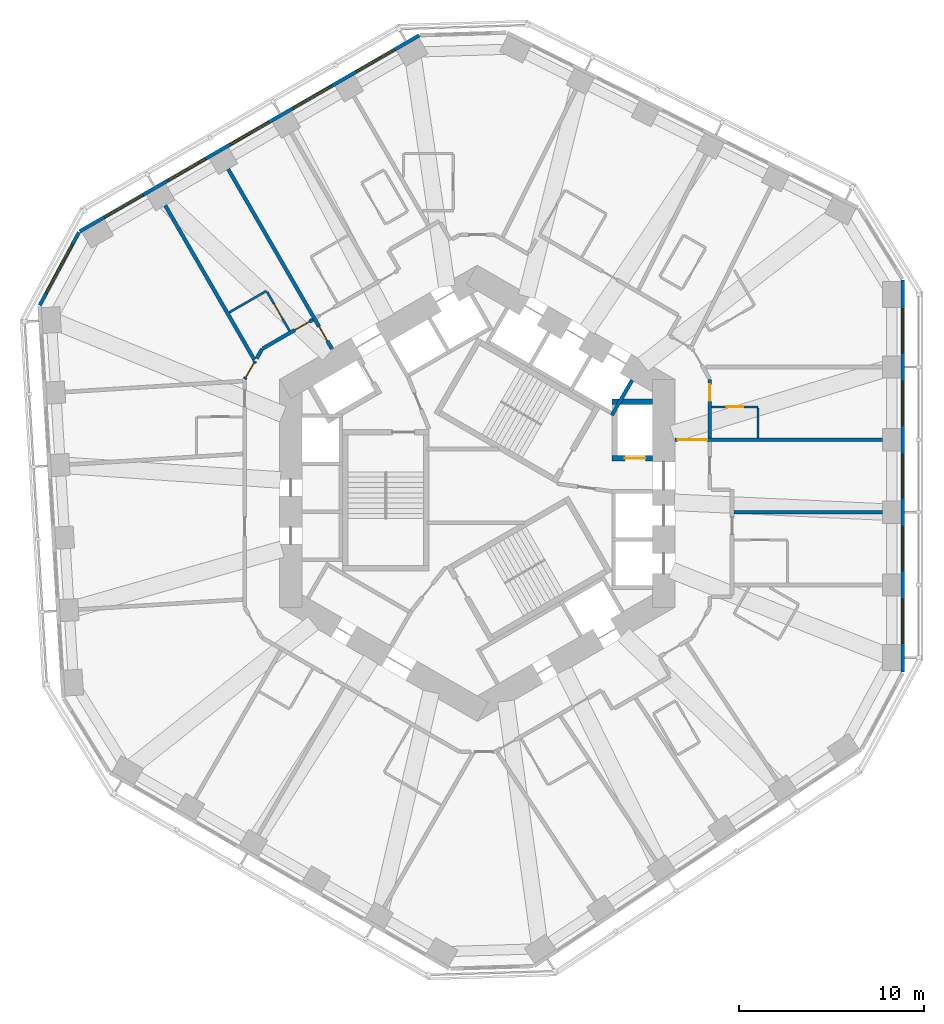
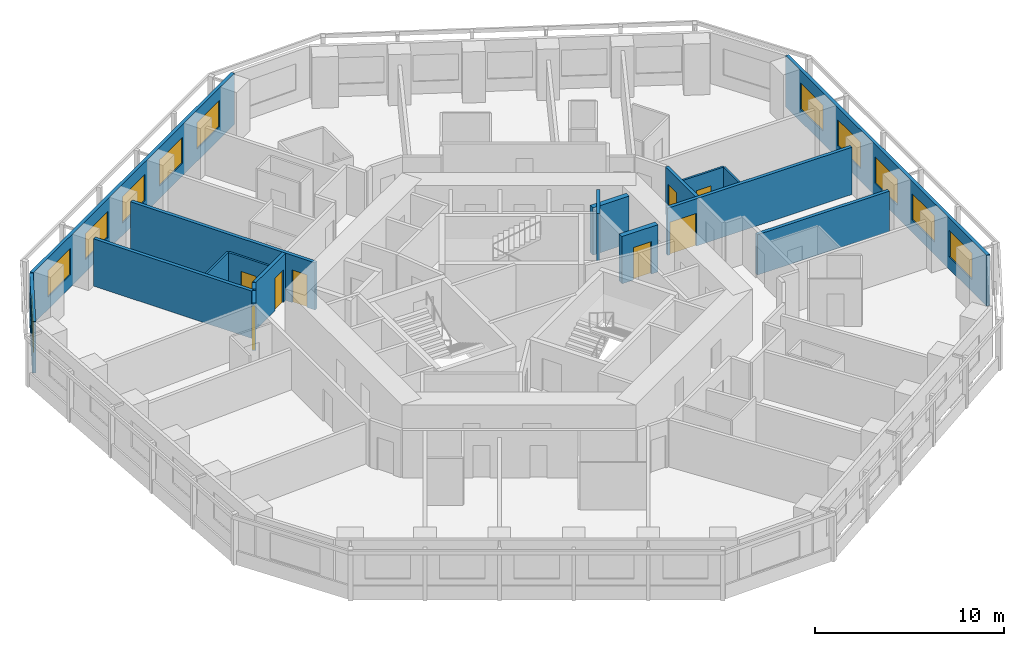
# One storey, part 7 of 12: 18 walls, 11 windows, 8 doors, 19 openings.
"""IFC4 building model written with IfcOpenShell, lengths in metres."""

from ifc_helpers import new_model, si_unit, direction, frame, frame_2d, origin, place, context, subcontext, project, spatial, rectangle, extrude, material, layer, layer_set, type_object, element, fill, save


model = new_model("IFC4")

# Units and contexts
model_context = context("Model", 3, precision=1e-05, world=origin(), true_north=direction((0.0, 1.0)))
body_context = subcontext(model_context, "Body", "Model", "MODEL_VIEW")
ifc_project = project(units=[si_unit("LENGTHUNIT", "METRE"), si_unit("AREAUNIT", "SQUARE_METRE"), si_unit("VOLUMEUNIT", "CUBIC_METRE"), si_unit("PLANEANGLEUNIT", "RADIAN"), si_unit("MASSUNIT", "GRAM", prefix="KILO")], contexts=[model_context])

# Site, building, storey
site_placement = place(None, origin())
site = spatial("IfcSite", under=ifc_project, at=site_placement, CompositionType="ELEMENT")
building_placement = place(site_placement, origin())
building = spatial("IfcBuilding", under=site, at=building_placement, Name="Vanh Sen Convention Tower", CompositionType="ELEMENT")
storey_placement = place(building_placement, frame((0.0, 0.0, 83.60009765625)))
storey = spatial("IfcBuildingStorey", under=building, at=storey_placement, Name="L18", CompositionType="ELEMENT", Elevation=83.60009765625)

# Wall
ifc_material_1 = material(Name="Moisture-resistant gypsum board on steel studs", Category="steel")
ifc_layer_1 = layer(ifc_material_1, 0.1201171875)
ifc_layer_set_1 = layer_set([ifc_layer_1], Name="Moisture-resistant gypsum board on steel studs")
wall_type_1 = type_object("IfcWallType", Name="Bathroom partition 120", PredefinedType="PARTITIONING", material=ifc_layer_set_1)
wall_1_placement = place(storey_placement, frame((-13.436279296875, 9.7939453125, 0.0), z_axis=(0.0, 0.0, 1.0), x_axis=(0.866053246676, 0.499951771596, 0.0)))
element("IfcWall", 1, at=wall_1_placement, inside=storey, type_object=wall_type_1, Name="Bathroom partition 120", PredefinedType="PARTITIONING", context=body_context, shape_type="SweptSolid", body=[
    extrude(rectangle(XDim=2.334716796875, YDim=0.1201171875, at=frame_2d((1.16748046875, 0.0))), origin(), (0.0, 0.0, 1.0), 3.0498046875),
])

# Wall, opening, door
wall_2_placement = place(storey_placement, frame((-11.384521484375, 10.9091796875, 0.0), z_axis=(0.0, 0.0, 1.0), x_axis=(0.500077547548, -0.865980627057, 0.0)))
wall_2 = element("IfcWall", 2, at=wall_2_placement, inside=storey, type_object=wall_type_1, Name="Bathroom partition 120", PredefinedType="PARTITIONING", context=body_context, shape_type="SweptSolid", body=[
    extrude(rectangle(XDim=2.43994140625, YDim=0.1201171875, at=frame_2d((1.219970703125, 0.0))), origin(), (0.0, 0.0, 1.0), 3.0498046875),
])
opening_1_placement = place(wall_2_placement, frame((0.77001953125, 0.0, 0.0)))
opening_1 = element("IfcOpeningElement", 3, at=opening_1_placement, cuts=wall_2, Name="Opening D16119", PredefinedType="OPENING", context=body_context, shape_type="SweptSolid", body=[
    extrude(rectangle(XDim=0.89990234375, YDim=2.10009765625, at=frame_2d((0.449951171875, 1.050048828125))), frame((0.0, 0.070068359375, 0.0), z_axis=(0.0, -1.0, 0.0), x_axis=(1.0, 0.0, 0.0)), (0.0, 0.0, 1.0), 0.14013671875),
])
ifc_material_2 = material(Name="Laminate door in steel frame", Category="steel")
door_type_1 = type_object("IfcDoorType", Name="En-suite door 900", OperationType="SINGLE_SWING_LEFT", PredefinedType="DOOR", material=ifc_material_2)
door_1_placement = place(opening_1_placement, origin())
door_1 = element("IfcDoor", 4, at=door_1_placement, inside=storey, type_object=door_type_1, Name="En-suite door D16119", OperationType="SINGLE_SWING_LEFT", OverallHeight=2.10009765625, OverallWidth=0.89990234375, PredefinedType="DOOR", context=body_context, shape_type="SweptSolid", body=[
    extrude(rectangle(XDim=0.89990234375, YDim=2.10009765625, at=frame_2d((0.449951171875, 1.050048828125))), frame((0.0, 0.02490234375, 0.0), z_axis=(0.0, -1.0, 0.0), x_axis=(1.0, 0.0, 0.0)), (0.0, 0.0, 1.0), 0.050048828125),
])
fill(opening_1, door_1)

wall_3_placement = place(storey_placement, frame((12.699951171875, 4.677490234375, 0.0), z_axis=(0.0, 0.0, 1.0), x_axis=(1.0, 0.0, 0.0)))
wall_3 = element("IfcWall", 5, at=wall_3_placement, inside=storey, type_object=wall_type_1, Name="Bathroom partition 120", PredefinedType="PARTITIONING", context=body_context, shape_type="SweptSolid", body=[
    extrude(rectangle(XDim=2.5, YDim=0.1201171875, at=frame_2d((1.25, 0.0))), origin(), (0.0, 0.0, 1.0), 3.0498046875),
])
opening_2_placement = place(wall_3_placement, frame((0.800048828125, 0.0, 0.0)))
opening_2 = element("IfcOpeningElement", 6, at=opening_2_placement, cuts=wall_3, Name="Opening D16105", PredefinedType="OPENING", context=body_context, shape_type="SweptSolid", body=[
    extrude(rectangle(XDim=0.89990234375, YDim=2.10009765625, at=frame_2d((0.449951171875, 1.050048828125))), frame((0.0, 0.070068359375, 0.0), z_axis=(0.0, -1.0, 0.0), x_axis=(1.0, 0.0, 0.0)), (0.0, 0.0, 1.0), 0.14013671875),
])
door_2_placement = place(opening_2_placement, origin())
door_2 = element("IfcDoor", 7, at=door_2_placement, inside=storey, type_object=door_type_1, Name="En-suite door D16105", OperationType="SINGLE_SWING_LEFT", OverallHeight=2.10009765625, OverallWidth=0.89990234375, PredefinedType="DOOR", context=body_context, shape_type="SweptSolid", body=[
    extrude(rectangle(XDim=0.89990234375, YDim=2.10009765625, at=frame_2d((0.449951171875, 1.050048828125))), frame((0.0, 0.02490234375, 0.0), z_axis=(0.0, -1.0, 0.0), x_axis=(1.0, 0.0, 0.0)), (0.0, 0.0, 1.0), 0.050048828125),
])
fill(opening_2, door_2)

# Wall
wall_4_placement = place(storey_placement, frame((15.199951171875, 4.61767578125, 0.0), z_axis=(0.0, 0.0, 1.0), x_axis=(0.0, -1.0, 0.0)))
element("IfcWall", 8, at=wall_4_placement, inside=storey, type_object=wall_type_1, Name="Bathroom partition 120", PredefinedType="PARTITIONING", context=body_context, shape_type="SweptSolid", body=[
    extrude(rectangle(XDim=1.61328125, YDim=0.1201171875, at=frame_2d((0.806640625, 0.0))), origin(), (0.0, 0.0, 1.0), 3.0498046875),
])

# Wall, opening, door
ifc_material_3 = material(Name="Gypsum board on steel studs with mineral wool", Category="steel")
ifc_layer_2 = layer(ifc_material_3, 0.199951171875)
ifc_layer_set_2 = layer_set([ifc_layer_2], Name="Gypsum board on steel studs with mineral wool")
wall_type_2 = type_object("IfcWallType", Name="Corridor partition wall 200", PredefinedType="PARTITIONING", material=ifc_layer_set_2)
wall_5_placement = place(storey_placement, frame((-12.031982421875, 7.16162109375, 0.0), z_axis=(0.0, 0.0, 1.0), x_axis=(-0.499951829968, -0.866053212979, 0.0)))
wall_5 = element("IfcWall", 9, at=wall_5_placement, inside=storey, type_object=wall_type_2, Name="Corridor partition wall 200", PredefinedType="PARTITIONING", context=body_context, shape_type="SweptSolid", body=[
    extrude(rectangle(XDim=1.13623046875, YDim=0.199951171875, at=frame_2d((0.568115234375, 0.0))), origin(), (0.0, 0.0, 1.0), 3.0498046875),
])
opening_3_placement = place(wall_5_placement, frame((0.1181640625, 0.0, 0.0)))
opening_3 = element("IfcOpeningElement", 10, at=opening_3_placement, cuts=wall_5, Name="Opening D16120", PredefinedType="OPENING", context=body_context, shape_type="SweptSolid", body=[
    extrude(rectangle(XDim=0.89990234375, YDim=2.10009765625, at=frame_2d((0.449951171875, 1.050048828125))), frame((0.0, 0.10986328125, 0.0), z_axis=(0.0, -1.0, 0.0), x_axis=(1.0, 0.0, 0.0)), (0.0, 0.0, 1.0), 0.219970703125),
])
ifc_material_4 = material(Name="Timber fire door in steel frame", Category="steel")
door_type_2 = type_object("IfcDoorType", Name="Floor room door 900", OperationType="SINGLE_SWING_LEFT", PredefinedType="DOOR", material=ifc_material_4)
door_3_placement = place(opening_3_placement, origin())
door_3 = element("IfcDoor", 11, at=door_3_placement, inside=storey, type_object=door_type_2, Name="Meeting and amenity room door D16120", OperationType="SINGLE_SWING_LEFT", OverallHeight=2.10009765625, OverallWidth=0.89990234375, PredefinedType="DOOR", context=body_context, shape_type="SweptSolid", body=[
    extrude(rectangle(XDim=0.89990234375, YDim=2.10009765625, at=frame_2d((0.449951171875, 1.050048828125))), frame((0.0, 0.02490234375, 0.0), z_axis=(0.0, -1.0, 0.0), x_axis=(1.0, 0.0, 0.0)), (0.0, 0.0, 1.0), 0.050048828125),
])
fill(opening_3, door_3)

# Wall
wall_6_placement = place(storey_placement, frame((-11.64990234375, 7.822998046875, 0.0), z_axis=(0.0, 0.0, 1.0), x_axis=(-0.50012165622, -0.865955154139, 0.0)))
element("IfcWall", 12, at=wall_6_placement, inside=storey, type_object=wall_type_2, Name="Corridor partition wall 200", PredefinedType="PARTITIONING", context=body_context, shape_type="SweptSolid", body=[
    extrude(rectangle(XDim=0.599853515625, YDim=0.199951171875, at=frame_2d((0.2998046875, 0.0))), origin(), (0.0, 0.0, 1.0), 3.0498046875),
])

# Wall, opening, door
wall_7_placement = place(storey_placement, frame((-8.902099609375, 9.40966796875, 0.0), z_axis=(0.0, 0.0, 1.0), x_axis=(-0.866014299198, -0.500019233215, 0.0)))
wall_7 = element("IfcWall", 13, at=wall_7_placement, inside=storey, type_object=wall_type_2, Name="Corridor partition wall 200", PredefinedType="PARTITIONING", context=body_context, shape_type="SweptSolid", body=[
    extrude(rectangle(XDim=3.13330078125, YDim=0.199951171875, at=frame_2d((1.566650390625, 0.0))), origin(), (0.0, 0.0, 1.0), 3.0498046875),
])
opening_4_placement = place(wall_7_placement, frame((0.22509765625, 0.0, 0.0)))
opening_4 = element("IfcOpeningElement", 14, at=opening_4_placement, cuts=wall_7, Name="Opening D16118", PredefinedType="OPENING", context=body_context, shape_type="SweptSolid", body=[
    extrude(rectangle(XDim=0.89990234375, YDim=2.10009765625, at=frame_2d((0.449951171875, 1.050048828125))), frame((0.0, 0.10986328125, 0.0), z_axis=(0.0, -1.0, 0.0), x_axis=(1.0, 0.0, 0.0)), (0.0, 0.0, 1.0), 0.219970703125),
])
door_type_3 = type_object("IfcDoorType", Name="Guest room door 900", OperationType="SINGLE_SWING_LEFT", PredefinedType="DOOR", material=ifc_material_4)
door_4_placement = place(opening_4_placement, origin())
door_4 = element("IfcDoor", 15, at=door_4_placement, inside=storey, type_object=door_type_3, Name="Hotel guest room door D16118", OperationType="SINGLE_SWING_LEFT", OverallHeight=2.10009765625, OverallWidth=0.89990234375, PredefinedType="DOOR", context=body_context, shape_type="SweptSolid", body=[
    extrude(rectangle(XDim=0.89990234375, YDim=2.10009765625, at=frame_2d((0.449951171875, 1.050048828125))), frame((0.0, 0.02490234375, 0.0), z_axis=(0.0, -1.0, 0.0), x_axis=(1.0, 0.0, 0.0)), (0.0, 0.0, 1.0), 0.050048828125),
])
fill(opening_4, door_4)

wall_8_placement = place(storey_placement, frame((12.60009765625, 3.00439453125, 0.0), z_axis=(0.0, 0.0, 1.0), x_axis=(0.0, 1.0, 0.0)))
wall_8 = element("IfcWall", 16, at=wall_8_placement, inside=storey, type_object=wall_type_2, Name="Corridor partition wall 200", PredefinedType="PARTITIONING", context=body_context, shape_type="SweptSolid", body=[
    extrude(rectangle(XDim=3.173095703125, YDim=0.199951171875, at=frame_2d((1.58642578125, 0.0))), origin(), (0.0, 0.0, 1.0), 3.0498046875),
])
opening_5_placement = place(wall_8_placement, frame((1.998046875, 0.0, 0.0)))
opening_5 = element("IfcOpeningElement", 17, at=opening_5_placement, cuts=wall_8, Name="Opening D16104", PredefinedType="OPENING", context=body_context, shape_type="SweptSolid", body=[
    extrude(rectangle(XDim=0.89990234375, YDim=2.10009765625, at=frame_2d((0.449951171875, 1.050048828125))), frame((0.0, 0.10986328125, 0.0), z_axis=(0.0, -1.0, 0.0), x_axis=(1.0, 0.0, 0.0)), (0.0, 0.0, 1.0), 0.219970703125),
])
door_5_placement = place(opening_5_placement, origin())
door_5 = element("IfcDoor", 18, at=door_5_placement, inside=storey, type_object=door_type_3, Name="Hotel guest room door D16104", OperationType="SINGLE_SWING_LEFT", OverallHeight=2.10009765625, OverallWidth=0.89990234375, PredefinedType="DOOR", context=body_context, shape_type="SweptSolid", body=[
    extrude(rectangle(XDim=0.89990234375, YDim=2.10009765625, at=frame_2d((0.449951171875, 1.050048828125))), frame((0.0, 0.02490234375, 0.0), z_axis=(0.0, -1.0, 0.0), x_axis=(1.0, 0.0, 0.0)), (0.0, 0.0, 1.0), 0.050048828125),
])
fill(opening_5, door_5)

# Wall, openings, windows
ifc_material_5 = material(Name="Insulated lightweight infill wall")
ifc_layer_3 = layer(ifc_material_5, 0.199951171875)
ifc_layer_set_3 = layer_set([ifc_layer_3], Name="Insulated lightweight infill wall")
wall_type_3 = type_object("IfcWallType", Name="External wall 200", PredefinedType="STANDARD", material=ifc_layer_set_3)
wall_9_placement = place(storey_placement, frame((23.050048828125, -9.6865234375, 0.0), z_axis=(0.0, 0.0, 1.0), x_axis=(0.0, 1.0, 0.0)))
wall_9 = element("IfcWall", 19, at=wall_9_placement, inside=storey, type_object=wall_type_3, Name="External wall E L18", PredefinedType="STANDARD", context=body_context, shape_type="SweptSolid", body=[
    extrude(rectangle(XDim=21.24609375, YDim=0.199951171875, at=frame_2d((10.623046875, 0.0))), origin(), (0.0, 0.0, 1.0), 3.2998046875),
])
opening_6_placement = place(wall_9_placement, frame((1.5546875, 0.0, 0.800048828125)))
opening_6 = element("IfcOpeningElement", 20, at=opening_6_placement, cuts=wall_9, Name="Opening WH1-E1", PredefinedType="OPENING", context=body_context, shape_type="SweptSolid", body=[
    extrude(rectangle(XDim=2.39990234375, YDim=1.699951171875, at=frame_2d((1.199951171875, 0.85009765625))), frame((0.0, 0.10986328125, 0.0), z_axis=(0.0, -1.0, 0.0), x_axis=(1.0, 0.0, 0.0)), (0.0, 0.0, 1.0), 0.219970703125),
])
opening_7_placement = place(wall_9_placement, frame((5.4892578125, 0.0, 0.800048828125)))
opening_7 = element("IfcOpeningElement", 21, at=opening_7_placement, cuts=wall_9, Name="Opening WH1-E2", PredefinedType="OPENING", context=body_context, shape_type="SweptSolid", body=[
    extrude(rectangle(XDim=2.39990234375, YDim=1.699951171875, at=frame_2d((1.199951171875, 0.85009765625))), frame((0.0, 0.10986328125, 0.0), z_axis=(0.0, -1.0, 0.0), x_axis=(1.0, 0.0, 0.0)), (0.0, 0.0, 1.0), 0.219970703125),
])
opening_8_placement = place(wall_9_placement, frame((9.423828125, 0.0, 0.800048828125)))
opening_8 = element("IfcOpeningElement", 22, at=opening_8_placement, cuts=wall_9, Name="Opening WH1-E3", PredefinedType="OPENING", context=body_context, shape_type="SweptSolid", body=[
    extrude(rectangle(XDim=2.39990234375, YDim=1.699951171875, at=frame_2d((1.199951171875, 0.85009765625))), frame((0.0, 0.10986328125, 0.0), z_axis=(0.0, -1.0, 0.0), x_axis=(1.0, 0.0, 0.0)), (0.0, 0.0, 1.0), 0.219970703125),
])
opening_9_placement = place(wall_9_placement, frame((13.3583984375, 0.0, 0.800048828125)))
opening_9 = element("IfcOpeningElement", 23, at=opening_9_placement, cuts=wall_9, Name="Opening WH1-E4", PredefinedType="OPENING", context=body_context, shape_type="SweptSolid", body=[
    extrude(rectangle(XDim=2.39990234375, YDim=1.699951171875, at=frame_2d((1.199951171875, 0.85009765625))), frame((0.0, 0.10986328125, 0.0), z_axis=(0.0, -1.0, 0.0), x_axis=(1.0, 0.0, 0.0)), (0.0, 0.0, 1.0), 0.219970703125),
])
opening_10_placement = place(wall_9_placement, frame((17.29296875, 0.0, 0.800048828125)))
opening_10 = element("IfcOpeningElement", 24, at=opening_10_placement, cuts=wall_9, Name="Opening WH1-E5", PredefinedType="OPENING", context=body_context, shape_type="SweptSolid", body=[
    extrude(rectangle(XDim=2.39990234375, YDim=1.699951171875, at=frame_2d((1.199951171875, 0.85009765625))), frame((0.0, 0.10986328125, 0.0), z_axis=(0.0, -1.0, 0.0), x_axis=(1.0, 0.0, 0.0)), (0.0, 0.0, 1.0), 0.219970703125),
])
ifc_material_6 = material(Name="Aluminium frame with clear low-emissivity glass", Category="aluminium")
window_type_1 = type_object("IfcWindowType", Name="Hotel window 2400 x 1700", PartitioningType="SINGLE_PANEL", PredefinedType="WINDOW", material=ifc_material_6)
window_1_placement = place(opening_6_placement, origin())
window_1 = element("IfcWindow", 25, at=window_1_placement, inside=storey, type_object=window_type_1, Name="Window WH1-E1", OverallHeight=1.699951171875, OverallWidth=2.39990234375, PartitioningType="SINGLE_PANEL", PredefinedType="WINDOW", context=body_context, shape_type="SweptSolid", body=[
    extrude(rectangle(XDim=2.39990234375, YDim=1.699951171875, at=frame_2d((1.199951171875, 0.85009765625))), frame((0.0, 0.030029296875, 0.0), z_axis=(0.0, -1.0, 0.0), x_axis=(1.0, 0.0, 0.0)), (0.0, 0.0, 1.0), 0.06005859375),
])
fill(opening_6, window_1)
window_2_placement = place(opening_7_placement, origin())
window_2 = element("IfcWindow", 26, at=window_2_placement, inside=storey, type_object=window_type_1, Name="Window WH1-E2", OverallHeight=1.699951171875, OverallWidth=2.39990234375, PartitioningType="SINGLE_PANEL", PredefinedType="WINDOW", context=body_context, shape_type="SweptSolid", body=[
    extrude(rectangle(XDim=2.39990234375, YDim=1.699951171875, at=frame_2d((1.199951171875, 0.85009765625))), frame((0.0, 0.030029296875, 0.0), z_axis=(0.0, -1.0, 0.0), x_axis=(1.0, 0.0, 0.0)), (0.0, 0.0, 1.0), 0.06005859375),
])
fill(opening_7, window_2)
window_3_placement = place(opening_8_placement, origin())
window_3 = element("IfcWindow", 27, at=window_3_placement, inside=storey, type_object=window_type_1, Name="Window WH1-E3", OverallHeight=1.699951171875, OverallWidth=2.39990234375, PartitioningType="SINGLE_PANEL", PredefinedType="WINDOW", context=body_context, shape_type="SweptSolid", body=[
    extrude(rectangle(XDim=2.39990234375, YDim=1.699951171875, at=frame_2d((1.199951171875, 0.85009765625))), frame((0.0, 0.030029296875, 0.0), z_axis=(0.0, -1.0, 0.0), x_axis=(1.0, 0.0, 0.0)), (0.0, 0.0, 1.0), 0.06005859375),
])
fill(opening_8, window_3)
window_4_placement = place(opening_9_placement, origin())
window_4 = element("IfcWindow", 28, at=window_4_placement, inside=storey, type_object=window_type_1, Name="Window WH1-E4", OverallHeight=1.699951171875, OverallWidth=2.39990234375, PartitioningType="SINGLE_PANEL", PredefinedType="WINDOW", context=body_context, shape_type="SweptSolid", body=[
    extrude(rectangle(XDim=2.39990234375, YDim=1.699951171875, at=frame_2d((1.199951171875, 0.85009765625))), frame((0.0, 0.030029296875, 0.0), z_axis=(0.0, -1.0, 0.0), x_axis=(1.0, 0.0, 0.0)), (0.0, 0.0, 1.0), 0.06005859375),
])
fill(opening_9, window_4)
window_5_placement = place(opening_10_placement, origin())
window_5 = element("IfcWindow", 29, at=window_5_placement, inside=storey, type_object=window_type_1, Name="Window WH1-E5", OverallHeight=1.699951171875, OverallWidth=2.39990234375, PartitioningType="SINGLE_PANEL", PredefinedType="WINDOW", context=body_context, shape_type="SweptSolid", body=[
    extrude(rectangle(XDim=2.39990234375, YDim=1.699951171875, at=frame_2d((1.199951171875, 0.85009765625))), frame((0.0, 0.030029296875, 0.0), z_axis=(0.0, -1.0, 0.0), x_axis=(1.0, 0.0, 0.0)), (0.0, 0.0, 1.0), 0.06005859375),
])
fill(opening_10, window_5)

wall_10_placement = place(storey_placement, frame((-3.135986328125, 24.80517578125, 0.0), z_axis=(0.0, 0.0, 1.0), x_axis=(-0.866028291626, -0.499994998079, 0.0)))
wall_10 = element("IfcWall", 30, at=wall_10_placement, inside=storey, type_object=wall_type_3, Name="External wall NW L18", PredefinedType="STANDARD", context=body_context, shape_type="SweptSolid", body=[
    extrude(rectangle(XDim=21.246337890625, YDim=0.199951171875, at=frame_2d((10.623046875, 0.0))), origin(), (0.0, 0.0, 1.0), 3.2998046875),
])
opening_11_placement = place(wall_10_placement, frame((1.5546875, 0.0, 0.800048828125)))
opening_11 = element("IfcOpeningElement", 31, at=opening_11_placement, cuts=wall_10, Name="Opening WH1-NW1", PredefinedType="OPENING", context=body_context, shape_type="SweptSolid", body=[
    extrude(rectangle(XDim=2.39990234375, YDim=1.699951171875, at=frame_2d((1.199951171875, 0.85009765625))), frame((0.0, 0.10986328125, 0.0), z_axis=(0.0, -1.0, 0.0), x_axis=(1.0, 0.0, 0.0)), (0.0, 0.0, 1.0), 0.219970703125),
])
opening_12_placement = place(wall_10_placement, frame((5.4892578125, 0.0, 0.800048828125)))
opening_12 = element("IfcOpeningElement", 32, at=opening_12_placement, cuts=wall_10, Name="Opening WH1-NW2", PredefinedType="OPENING", context=body_context, shape_type="SweptSolid", body=[
    extrude(rectangle(XDim=2.39990234375, YDim=1.699951171875, at=frame_2d((1.199951171875, 0.85009765625))), frame((0.0, 0.10986328125, 0.0), z_axis=(0.0, -1.0, 0.0), x_axis=(1.0, 0.0, 0.0)), (0.0, 0.0, 1.0), 0.219970703125),
])
opening_13_placement = place(wall_10_placement, frame((9.423828125, 0.0, 0.800048828125)))
opening_13 = element("IfcOpeningElement", 33, at=opening_13_placement, cuts=wall_10, Name="Opening WH1-NW3", PredefinedType="OPENING", context=body_context, shape_type="SweptSolid", body=[
    extrude(rectangle(XDim=2.39990234375, YDim=1.699951171875, at=frame_2d((1.199951171875, 0.85009765625))), frame((0.0, 0.10986328125, 0.0), z_axis=(0.0, -1.0, 0.0), x_axis=(1.0, 0.0, 0.0)), (0.0, 0.0, 1.0), 0.219970703125),
])
opening_14_placement = place(wall_10_placement, frame((13.3583984375, 0.0, 0.800048828125)))
opening_14 = element("IfcOpeningElement", 34, at=opening_14_placement, cuts=wall_10, Name="Opening WH1-NW4", PredefinedType="OPENING", context=body_context, shape_type="SweptSolid", body=[
    extrude(rectangle(XDim=2.39990234375, YDim=1.699951171875, at=frame_2d((1.199951171875, 0.85009765625))), frame((0.0, 0.10986328125, 0.0), z_axis=(0.0, -1.0, 0.0), x_axis=(1.0, 0.0, 0.0)), (0.0, 0.0, 1.0), 0.219970703125),
])
opening_15_placement = place(wall_10_placement, frame((17.293212890625, 0.0, 0.800048828125)))
opening_15 = element("IfcOpeningElement", 35, at=opening_15_placement, cuts=wall_10, Name="Opening WH1-NW5", PredefinedType="OPENING", context=body_context, shape_type="SweptSolid", body=[
    extrude(rectangle(XDim=2.39990234375, YDim=1.699951171875, at=frame_2d((1.199951171875, 0.85009765625))), frame((0.0, 0.10986328125, 0.0), z_axis=(0.0, -1.0, 0.0), x_axis=(1.0, 0.0, 0.0)), (0.0, 0.0, 1.0), 0.219970703125),
])
window_6_placement = place(opening_11_placement, origin())
window_6 = element("IfcWindow", 36, at=window_6_placement, inside=storey, type_object=window_type_1, Name="Window WH1-NW1", OverallHeight=1.699951171875, OverallWidth=2.39990234375, PartitioningType="SINGLE_PANEL", PredefinedType="WINDOW", context=body_context, shape_type="SweptSolid", body=[
    extrude(rectangle(XDim=2.39990234375, YDim=1.699951171875, at=frame_2d((1.199951171875, 0.85009765625))), frame((0.0, 0.030029296875, 0.0), z_axis=(0.0, -1.0, 0.0), x_axis=(1.0, 0.0, 0.0)), (0.0, 0.0, 1.0), 0.06005859375),
])
fill(opening_11, window_6)
window_7_placement = place(opening_12_placement, origin())
window_7 = element("IfcWindow", 37, at=window_7_placement, inside=storey, type_object=window_type_1, Name="Window WH1-NW2", OverallHeight=1.699951171875, OverallWidth=2.39990234375, PartitioningType="SINGLE_PANEL", PredefinedType="WINDOW", context=body_context, shape_type="SweptSolid", body=[
    extrude(rectangle(XDim=2.39990234375, YDim=1.699951171875, at=frame_2d((1.199951171875, 0.85009765625))), frame((0.0, 0.030029296875, 0.0), z_axis=(0.0, -1.0, 0.0), x_axis=(1.0, 0.0, 0.0)), (0.0, 0.0, 1.0), 0.06005859375),
])
fill(opening_12, window_7)
window_8_placement = place(opening_13_placement, origin())
window_8 = element("IfcWindow", 38, at=window_8_placement, inside=storey, type_object=window_type_1, Name="Window WH1-NW3", OverallHeight=1.699951171875, OverallWidth=2.39990234375, PartitioningType="SINGLE_PANEL", PredefinedType="WINDOW", context=body_context, shape_type="SweptSolid", body=[
    extrude(rectangle(XDim=2.39990234375, YDim=1.699951171875, at=frame_2d((1.199951171875, 0.85009765625))), frame((0.0, 0.030029296875, 0.0), z_axis=(0.0, -1.0, 0.0), x_axis=(1.0, 0.0, 0.0)), (0.0, 0.0, 1.0), 0.06005859375),
])
fill(opening_13, window_8)
window_9_placement = place(opening_14_placement, origin())
window_9 = element("IfcWindow", 39, at=window_9_placement, inside=storey, type_object=window_type_1, Name="Window WH1-NW4", OverallHeight=1.699951171875, OverallWidth=2.39990234375, PartitioningType="SINGLE_PANEL", PredefinedType="WINDOW", context=body_context, shape_type="SweptSolid", body=[
    extrude(rectangle(XDim=2.39990234375, YDim=1.699951171875, at=frame_2d((1.199951171875, 0.85009765625))), frame((0.0, 0.030029296875, 0.0), z_axis=(0.0, -1.0, 0.0), x_axis=(1.0, 0.0, 0.0)), (0.0, 0.0, 1.0), 0.06005859375),
])
fill(opening_14, window_9)
window_10_placement = place(opening_15_placement, origin())
window_10 = element("IfcWindow", 40, at=window_10_placement, inside=storey, type_object=window_type_1, Name="Window WH1-NW5", OverallHeight=1.699951171875, OverallWidth=2.39990234375, PartitioningType="SINGLE_PANEL", PredefinedType="WINDOW", context=body_context, shape_type="SweptSolid", body=[
    extrude(rectangle(XDim=2.39990234375, YDim=1.699951171875, at=frame_2d((1.199951171875, 0.85009765625))), frame((0.0, 0.030029296875, 0.0), z_axis=(0.0, -1.0, 0.0), x_axis=(1.0, 0.0, 0.0)), (0.0, 0.0, 1.0), 0.06005859375),
])
fill(opening_15, window_10)

# Wall, opening, window
wall_11_placement = place(storey_placement, frame((-21.573974609375, 14.142822265625, 0.0), z_axis=(0.0, 0.0, 1.0), x_axis=(-0.473292949472, -0.880905093628, 0.0)))
wall_11 = element("IfcWall", 41, at=wall_11_placement, inside=storey, type_object=wall_type_3, Name="External wall CH3 L18", PredefinedType="STANDARD", context=body_context, shape_type="SweptSolid", body=[
    extrude(rectangle(XDim=4.493896484375, YDim=0.199951171875, at=frame_2d((2.2470703125, 0.0))), origin(), (0.0, 0.0, 1.0), 3.2998046875),
])
opening_16_placement = place(wall_11_placement, frame((0.746826171875, 0.0, 0.800048828125)))
opening_16 = element("IfcOpeningElement", 42, at=opening_16_placement, cuts=wall_11, Name="Opening WH2-CH31", PredefinedType="OPENING", context=body_context, shape_type="SweptSolid", body=[
    extrude(rectangle(XDim=3.0, YDim=1.699951171875, at=frame_2d((1.5, 0.85009765625))), frame((0.0, 0.10986328125, 0.0), z_axis=(0.0, -1.0, 0.0), x_axis=(1.0, 0.0, 0.0)), (0.0, 0.0, 1.0), 0.219970703125),
])
window_type_2 = type_object("IfcWindowType", Name="Hotel window 3000 x 1700", PartitioningType="SINGLE_PANEL", PredefinedType="WINDOW", material=ifc_material_6)
window_11_placement = place(opening_16_placement, origin())
window_11 = element("IfcWindow", 43, at=window_11_placement, inside=storey, type_object=window_type_2, Name="Window WH2-CH31", OverallHeight=1.699951171875, OverallWidth=3.0, PartitioningType="SINGLE_PANEL", PredefinedType="WINDOW", context=body_context, shape_type="SweptSolid", body=[
    extrude(rectangle(XDim=3.0, YDim=1.699951171875, at=frame_2d((1.5, 0.85009765625))), frame((0.0, 0.030029296875, 0.0), z_axis=(0.0, -1.0, 0.0), x_axis=(1.0, 0.0, 0.0)), (0.0, 0.0, 1.0), 0.06005859375),
])
fill(opening_16, window_11)

# Wall, opening, door
ifc_material_7 = material(Name="Concrete C60/75", Category="concrete")
ifc_layer_4 = layer(ifc_material_7, 0.300048828125)
ifc_layer_set_4 = layer_set([ifc_layer_4], Name="Concrete C60/75")
wall_type_4 = type_object("IfcWallType", Name="Fire-fighting lift shaft wall 300", PredefinedType="SHEAR", material=ifc_layer_set_4)
wall_12_placement = place(storey_placement, frame((7.300048828125, 1.89990234375, 0.0), z_axis=(0.0, 0.0, 1.0), x_axis=(1.0, 0.0, 0.0)))
wall_12 = element("IfcWall", 44, at=wall_12_placement, inside=storey, type_object=wall_type_4, Name="Fire-fighting lift shaft wall L18", PredefinedType="SHEAR", context=body_context, shape_type="SweptSolid", body=[
    extrude(rectangle(XDim=2.199951171875, YDim=0.300048828125, at=frame_2d((1.10009765625, 0.0))), origin(), (0.0, 0.0, 1.0), 3.0498046875),
])
opening_17_placement = place(wall_12_placement, frame((0.699951171875, 0.0, 0.0)))
opening_17 = element("IfcOpeningElement", 45, at=opening_17_placement, cuts=wall_12, Name="Opening LD-FF1", PredefinedType="OPENING", context=body_context, shape_type="SweptSolid", body=[
    extrude(rectangle(XDim=1.10009765625, YDim=2.10009765625, at=frame_2d((0.550048828125, 1.050048828125))), frame((0.0, 0.159912109375, 0.0), z_axis=(0.0, -1.0, 0.0), x_axis=(1.0, 0.0, 0.0)), (0.0, 0.0, 1.0), 0.320068359375),
])
ifc_material_8 = material(Name="Stainless steel", Category="steel")
door_type_4 = type_object("IfcDoorType", Name="Fire-fighting lift landing door 1100", OperationType="DOUBLE_DOOR_SLIDING", PredefinedType="DOOR", material=ifc_material_8)
door_6_placement = place(opening_17_placement, origin())
door_6 = element("IfcDoor", 46, at=door_6_placement, inside=storey, type_object=door_type_4, Name="Lift FF1 landing door LD-FF1", OperationType="DOUBLE_DOOR_SLIDING", OverallHeight=2.10009765625, OverallWidth=1.10009765625, PredefinedType="DOOR", context=body_context, shape_type="SweptSolid", body=[
    extrude(rectangle(XDim=1.10009765625, YDim=2.10009765625, at=frame_2d((0.550048828125, 1.050048828125))), frame((0.0, 0.02490234375, 0.0), z_axis=(0.0, -1.0, 0.0), x_axis=(1.0, 0.0, 0.0)), (0.0, 0.0, 1.0), 0.050048828125),
])
fill(opening_17, door_6)

# Walls
wall_13_placement = place(storey_placement, frame((7.300048828125, 4.949951171875, 0.0), z_axis=(0.0, 0.0, 1.0), x_axis=(1.0, 0.0, 0.0)))
element("IfcWall", 47, at=wall_13_placement, inside=storey, type_object=wall_type_4, Name="Fire-fighting lift shaft wall L18", PredefinedType="SHEAR", context=body_context, shape_type="SweptSolid", body=[
    extrude(rectangle(XDim=2.199951171875, YDim=0.300048828125, at=frame_2d((1.10009765625, 0.0))), origin(), (0.0, 0.0, 1.0), 3.0498046875),
])
ifc_layer_5 = layer(ifc_material_3, 0.199951171875)
ifc_layer_set_5 = layer_set([ifc_layer_5], Name="Gypsum board on steel studs with mineral wool")
wall_type_5 = type_object("IfcWallType", Name="Hotel party wall 200", PredefinedType="PARTITIONING", material=ifc_layer_set_5)
wall_14_placement = place(storey_placement, frame((-16.89794921875, 15.589599609375, 0.0), z_axis=(0.0, 0.0, 1.0), x_axis=(0.499994742786, -0.866028439017, 0.0)))
element("IfcWall", 48, at=wall_14_placement, inside=storey, type_object=wall_type_5, Name="Hotel party wall 200", PredefinedType="PARTITIONING", context=body_context, shape_type="SweptSolid", body=[
    extrude(rectangle(XDim=9.64990234375, YDim=0.199951171875, at=frame_2d((4.824951171875, 0.0))), origin(), (0.0, 0.0, 1.0), 3.0498046875),
])
wall_15_placement = place(storey_placement, frame((21.949951171875, -1.030029296875, 0.0), z_axis=(0.0, 0.0, 1.0), x_axis=(-1.0, 0.0, 0.0)))
element("IfcWall", 49, at=wall_15_placement, inside=storey, type_object=wall_type_5, Name="Hotel party wall 200", PredefinedType="PARTITIONING", context=body_context, shape_type="SweptSolid", body=[
    extrude(rectangle(XDim=8.049072265625, YDim=0.199951171875, at=frame_2d((4.0244140625, 0.0))), origin(), (0.0, 0.0, 1.0), 2.599853515625),
])
ifc_material_9 = material(Name="Concrete C40/50", Category="concrete")
ifc_layer_6 = layer(ifc_material_9, 0.199951171875)
ifc_layer_set_6 = layer_set([ifc_layer_6], Name="Concrete C40/50")
wall_type_6 = type_object("IfcWallType", Name="Lift shaft wall 200", PredefinedType="PARTITIONING", material=ifc_layer_set_6)
wall_16_placement = place(storey_placement, frame((7.287353515625, 4.221923828125, 0.0), z_axis=(0.0, 0.0, 1.0), x_axis=(0.499946605688, 0.86605622881, 0.0)))
element("IfcWall", 50, at=wall_16_placement, inside=storey, type_object=wall_type_6, Name="Lift shaft wall L18", PredefinedType="PARTITIONING", context=body_context, shape_type="SweptSolid", body=[
    extrude(rectangle(XDim=2.199951171875, YDim=0.199951171875, at=frame_2d((1.10009765625, 0.0))), origin(), (0.0, 0.0, 1.0), 3.0498046875),
])

# Wall, opening, door
ifc_material_10 = material(Name="Concrete C20/25", Category="concrete")
ifc_layer_7 = layer(ifc_material_10, 0.199951171875)
ifc_layer_set_7 = layer_set([ifc_layer_7], Name="Concrete C20/25")
wall_type_7 = type_object("IfcWallType", Name="Sub-compartment wall 200", PredefinedType="PARTITIONING", material=ifc_layer_set_7)
wall_17_placement = place(storey_placement, frame((-7.865478515625, 7.814208984375, 0.0), z_axis=(0.0, 0.0, 1.0), x_axis=(-0.500004234368, 0.866022959057, 0.0)))
wall_17 = element("IfcWall", 51, at=wall_17_placement, inside=storey, type_object=wall_type_7, Name="Sub-compartment wall 200", PredefinedType="PARTITIONING", context=body_context, shape_type="SweptSolid", body=[
    extrude(rectangle(XDim=11.25, YDim=0.199951171875, at=frame_2d((5.625, 0.0))), origin(), (0.0, 0.0, 1.0), 3.0498046875),
])
opening_18_placement = place(wall_17_placement, frame((0.5, 0.0, 0.0)))
opening_18 = element("IfcOpeningElement", 52, at=opening_18_placement, cuts=wall_17, Name="Opening D16137", PredefinedType="OPENING", context=body_context, shape_type="SweptSolid", body=[
    extrude(rectangle(XDim=0.89990234375, YDim=2.10009765625, at=frame_2d((0.449951171875, 1.050048828125))), frame((0.0, 0.10986328125, 0.0), z_axis=(0.0, -1.0, 0.0), x_axis=(1.0, 0.0, 0.0)), (0.0, 0.0, 1.0), 0.219970703125),
])
ifc_material_11 = material(Name="Steel S355", Category="steel")
door_type_5 = type_object("IfcDoorType", Name="Corridor fire door 900", OperationType="SINGLE_SWING_LEFT", PredefinedType="DOOR", material=ifc_material_11)
door_7_placement = place(opening_18_placement, origin())
door_7 = element("IfcDoor", 53, at=door_7_placement, inside=storey, type_object=door_type_5, Name="Sub-compartment door D16137", OperationType="SINGLE_SWING_LEFT", OverallHeight=2.10009765625, OverallWidth=0.89990234375, PredefinedType="DOOR", context=body_context, shape_type="SweptSolid", body=[
    extrude(rectangle(XDim=0.89990234375, YDim=2.10009765625, at=frame_2d((0.449951171875, 1.050048828125))), frame((0.0, 0.02490234375, 0.0), z_axis=(0.0, -1.0, 0.0), x_axis=(1.0, 0.0, 0.0)), (0.0, 0.0, 1.0), 0.050048828125),
])
fill(opening_18, door_7)

wall_18_placement = place(storey_placement, frame((21.949951171875, 2.904541015625, 0.0), z_axis=(0.0, 0.0, 1.0), x_axis=(-1.0, 0.0, 0.0)))
wall_18 = element("IfcWall", 54, at=wall_18_placement, inside=storey, type_object=wall_type_7, Name="Sub-compartment wall 200", PredefinedType="PARTITIONING", context=body_context, shape_type="SweptSolid", body=[
    extrude(rectangle(XDim=11.25, YDim=0.199951171875, at=frame_2d((5.625, 0.0))), origin(), (0.0, 0.0, 1.0), 3.0498046875),
])
opening_19_placement = place(wall_18_placement, frame((9.5, 0.0, 0.0)))
opening_19 = element("IfcOpeningElement", 55, at=opening_19_placement, cuts=wall_18, Name="Opening D16138", PredefinedType="OPENING", context=body_context, shape_type="SweptSolid", body=[
    extrude(rectangle(XDim=1.60009765625, YDim=2.10009765625, at=frame_2d((0.800048828125, 1.050048828125))), frame((0.0, 0.10986328125, 0.0), z_axis=(0.0, -1.0, 0.0), x_axis=(1.0, 0.0, 0.0)), (0.0, 0.0, 1.0), 0.219970703125),
])
door_type_6 = type_object("IfcDoorType", Name="Corridor fire door 1600", OperationType="DOUBLE_DOOR_SINGLE_SWING", PredefinedType="DOOR", material=ifc_material_11)
door_8_placement = place(opening_19_placement, origin())
door_8 = element("IfcDoor", 56, at=door_8_placement, inside=storey, type_object=door_type_6, Name="Sub-compartment door D16138", OperationType="DOUBLE_DOOR_SINGLE_SWING", OverallHeight=2.10009765625, OverallWidth=1.60009765625, PredefinedType="DOOR", context=body_context, shape_type="SweptSolid", body=[
    extrude(rectangle(XDim=1.60009765625, YDim=2.10009765625, at=frame_2d((0.800048828125, 1.050048828125))), frame((0.0, 0.02490234375, 0.0), z_axis=(0.0, -1.0, 0.0), x_axis=(1.0, 0.0, 0.0)), (0.0, 0.0, 1.0), 0.050048828125),
])
fill(opening_19, door_8)

save(model, "model.ifc")
